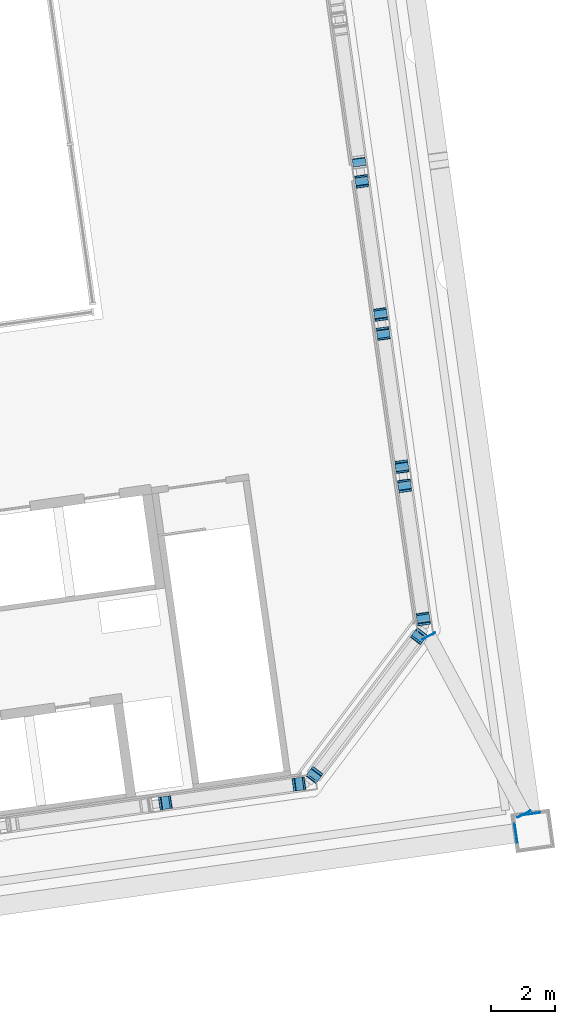
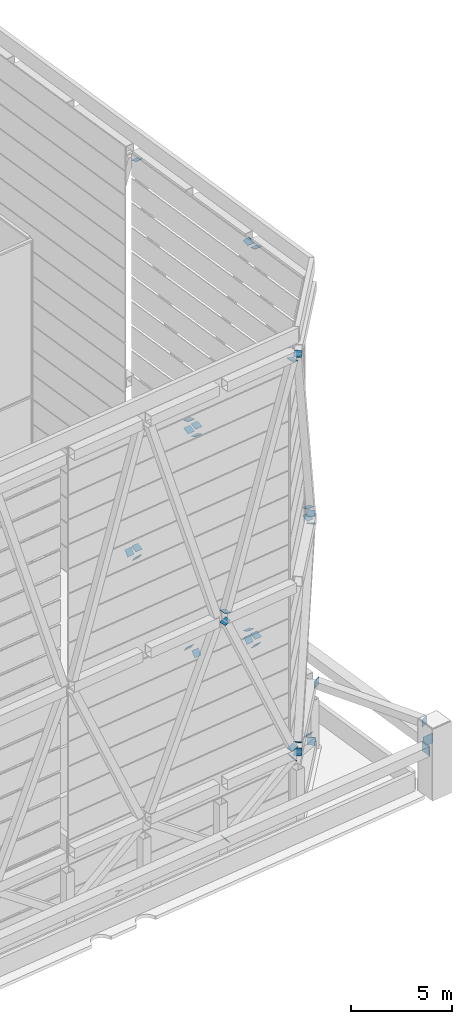
# One storey, part 38 of 45: 35 discrete accessories.
"""IFC4 building model written with IfcOpenShell, lengths in metres."""

from ifc_helpers import new_model, si_unit, direction, frame, origin, origin_2d, place, context, subcontext, project, spatial, rectangle, extrude, material, material_profile, profile_set, type_object, element, save


model = new_model("IFC4")

# Units and contexts
model_context = context("Model", 3, precision=1e-05, world=origin(), true_north=direction((0.0, 1.0)))
body_context = subcontext(model_context, "Body", "Model", "MODEL_VIEW")
ifc_project = project(units=[si_unit("LENGTHUNIT", "METRE"), si_unit("AREAUNIT", "SQUARE_METRE"), si_unit("VOLUMEUNIT", "CUBIC_METRE"), si_unit("PLANEANGLEUNIT", "RADIAN"), si_unit("MASSUNIT", "GRAM", prefix="KILO")], contexts=[model_context])

# Site, building, storey
site_placement = place(None, origin())
site = spatial("IfcSite", under=ifc_project, at=site_placement, CompositionType="ELEMENT")
building_placement = place(site_placement, origin())
building = spatial("IfcBuilding", under=site, at=building_placement, Name="Mirante Cascada Hotel Towers", CompositionType="ELEMENT")
storey_placement = place(building_placement, frame((0.0, 0.0, 269.8)))
storey = spatial("IfcBuildingStorey", under=building, at=storey_placement, Name="Roof garden", CompositionType="ELEMENT", Elevation=269.8)

# Discrete accessories
ifc_material_1 = material(Name="Steel ASTM A572 Gr 50", Category="steel")
ifc_material_profile_1 = material_profile(ifc_material_1, rectangle(XDim=0.4, YDim=0.4, at=origin_2d()), Name="Connection plate 400x400x25 ASTM A572 Gr 50")
ifc_profile_set_1 = profile_set([ifc_material_profile_1], Name="Steel ASTM A572 Gr 50")
discrete_accessory_type_1 = type_object("IfcDiscreteAccessoryType", Name="Connection plate 400x400x25 ASTM A572 Gr 50", PredefinedType="BRACKET", material=ifc_profile_set_1)
for number, where, z_axis, x_axis, name in (
    (1, (56.2485, 2.0021, 3.6925), (0.1116566, -0.7935596, 0.5981605), (0.9902459, 0.1393311, 0.0), "Connection plate HT-D"),
    (2, (56.9153, -2.7426, 0.5925), (-0.1116566, 0.7935596, 0.5981605), (-0.9902459, -0.1393311, 0.0), "Connection plate HT-D"),
    (3, (56.3348, 1.388, 3.6925), (-0.1116566, 0.7935596, 0.5981605), (-0.9902459, -0.1393311, 0.0), "Connection plate HT-D"),
):
    element("IfcDiscreteAccessory", number, at=place(storey_placement, frame(where, z_axis=z_axis, x_axis=x_axis)), inside=storey, type_object=discrete_accessory_type_1, Name=name, PredefinedType="BRACKET", context=body_context, shape_type="SweptSolid", body=[
        extrude(rectangle(XDim=0.4, YDim=0.4, at=origin_2d()), origin(), (0.0, 0.0, 1.0), 0.0251),
    ])
for number, where, z_axis, x_axis, name in (
    (4, (56.996, -3.3169, 0.5925), (0.1120108, -0.792076, 0.6000576), (0.9901485, 0.140021, 0.0), "Connection plate HT-D"),
    (5, (57.5765, -7.4475, 3.6925), (0.1120108, -0.792076, 0.6000576), (0.9901485, 0.140021, 0.0), "Connection plate HT-D"),
):
    element("IfcDiscreteAccessory", number, at=place(storey_placement, frame(where, z_axis=z_axis, x_axis=x_axis)), inside=storey, type_object=discrete_accessory_type_1, Name=name, PredefinedType="BRACKET", context=body_context, shape_type="SweptSolid", body=[
        extrude(rectangle(XDim=0.4, YDim=0.4, at=origin_2d()), origin(), (0.0, 0.0, 1.0), 0.025),
    ])
for number, where, z_axis, x_axis, name in (
    (6, (58.2433, -12.1921, 0.5925), (-0.1116566, 0.7935596, 0.5981605), (-0.9902459, -0.1393311, 0.0), "Connection plate HT-D"),
    (7, (57.6628, -8.0615, 3.6925), (-0.1116566, 0.7935596, 0.5981605), (-0.9902459, -0.1393311, 0.0), "Connection plate HT-D"),
):
    element("IfcDiscreteAccessory", number, at=place(storey_placement, frame(where, z_axis=z_axis, x_axis=x_axis)), inside=storey, type_object=discrete_accessory_type_1, Name=name, PredefinedType="BRACKET", context=body_context, shape_type="SweptSolid", body=[
        extrude(rectangle(XDim=0.4, YDim=0.4, at=origin_2d()), origin(), (0.0, 0.0, 1.0), 0.0251),
    ])
for number, where, z_axis, x_axis, name in (
    (8, (58.1097, -12.7102, 0.5938), (-0.5241426, -0.6921883, 0.496135), (0.7972266, -0.6036802, 0.0), "Connection plate HT-D"),
    (9, (54.8652, -17.0158, 3.6938), (-0.5241426, -0.6921883, 0.496135), (0.7972266, -0.6036802, 0.0), "Connection plate HT-D"),
    (10, (50.2243, -17.89, 0.5926), (0.7973471, 0.1121895, 0.5930018), (-0.1393311, 0.9902459, 0.0), "Connection plate HT-D"),
    (11, (54.3711, -17.3072, 3.6926), (0.7973471, 0.1121895, 0.5930018), (-0.1393311, 0.9902459, 0.0), "Connection plate HT-D"),
    (12, (56.3327, 1.403, 4.2886), (0.0560534, -0.4043852, 0.9128695), (0.9905294, 0.1373011, 0.0), "Connection plate CF-B"),
    (13, (56.9132, -2.7276, 13.6886), (0.0560534, -0.4043852, 0.9128695), (0.9905294, 0.1373011, 0.0), "Connection plate CF-B"),
):
    element("IfcDiscreteAccessory", number, at=place(storey_placement, frame(where, z_axis=z_axis, x_axis=x_axis)), inside=storey, type_object=discrete_accessory_type_1, Name=name, PredefinedType="BRACKET", context=body_context, shape_type="SweptSolid", body=[
        extrude(rectangle(XDim=0.4, YDim=0.4, at=origin_2d()), origin(), (0.0, 0.0, 1.0), 0.025),
    ])
for number, where, z_axis, x_axis, name in (
    (14, (57.5786, -7.4624, 4.2886), (-0.0561439, 0.4010279, 0.9143437), (-0.9903417, -0.1386478, 0.0), "Connection plate CF-B"),
    (15, (56.9981, -3.3318, 13.6886), (-0.0561439, 0.4010279, 0.9143437), (-0.9903417, -0.1386478, 0.0), "Connection plate CF-B"),
    (16, (57.6607, -8.0466, 4.2886), (0.0561439, -0.4010279, 0.9143437), (0.9903417, 0.1386478, 0.0), "Connection plate CF-B"),
    (17, (58.2412, -12.1772, 13.6886), (0.0561439, -0.4010279, 0.9143437), (0.9903417, 0.1386478, 0.0), "Connection plate CF-B"),
    (18, (54.8549, -17.0294, 4.2892), (0.3010083, 0.3973309, 0.8669038), (-0.7970921, 0.6038577, 0.0), "Connection plate CF-B"),
    (19, (58.0994, -12.7238, 13.6892), (0.3010083, 0.3973309, 0.8669038), (-0.7970921, 0.6038577, 0.0), "Connection plate CF-B"),
):
    element("IfcDiscreteAccessory", number, at=place(storey_placement, frame(where, z_axis=z_axis, x_axis=x_axis)), inside=storey, type_object=discrete_accessory_type_1, Name=name, PredefinedType="BRACKET", context=body_context, shape_type="SweptSolid", body=[
        extrude(rectangle(XDim=0.4, YDim=0.4, at=origin_2d()), origin(), (0.0, 0.0, 1.0), 0.0249),
    ])
discrete_accessory_placement = place(storey_placement, frame((54.3861, -17.3051, 4.2886), z_axis=(-0.4043852, -0.0560534, 0.9128695), x_axis=(0.1373011, -0.9905294, 0.0)))
element("IfcDiscreteAccessory", 20, at=discrete_accessory_placement, inside=storey, type_object=discrete_accessory_type_1, Name="Connection plate CF-B", PredefinedType="BRACKET", context=body_context, shape_type="SweptSolid", body=[
    extrude(rectangle(XDim=0.4, YDim=0.4, at=origin_2d()), origin(), (0.0, 0.0, 1.0), 0.025),
])
for number, where, z_axis, x_axis, name in (
    (21, (50.2393, -17.8878, 13.6886), (-0.4009345, -0.0601402, 0.9141306), (0.1483405, -0.9889364, 0.0), "Connection plate CF-B"),
    (22, (56.9144, -2.7363, 14.2881), (-0.0401373, 0.2930026, 0.9552688), (-0.9907474, -0.1357188, 0.0), "Connection plate CF-B"),
    (23, (56.3339, 1.3943, 27.6381), (-0.0440915, 0.2966152, 0.9539787), (-0.9891316, -0.1470331, 0.0), "Connection plate CF-B"),
    (24, (56.9969, -3.3231, 14.2881), (0.0400899, -0.2966653, 0.9541397), (0.9909924, 0.1339179, 0.0), "Connection plate CF-B"),
    (25, (57.5774, -7.4537, 27.6381), (0.0400899, -0.2966653, 0.9541397), (0.9909924, 0.1339179, 0.0), "Connection plate CF-B"),
    (26, (58.2425, -12.1859, 14.2881), (-0.0440915, 0.2966152, 0.9539787), (-0.9891316, -0.1470331, 0.0), "Connection plate CF-B"),
    (27, (57.6619, -8.0553, 27.6381), (-0.0400899, 0.2966653, 0.9541397), (-0.9909924, -0.1339179, 0.0), "Connection plate CF-B"),
):
    element("IfcDiscreteAccessory", number, at=place(storey_placement, frame(where, z_axis=z_axis, x_axis=x_axis)), inside=storey, type_object=discrete_accessory_type_1, Name=name, PredefinedType="BRACKET", context=body_context, shape_type="SweptSolid", body=[
        extrude(rectangle(XDim=0.4, YDim=0.4, at=origin_2d()), origin(), (0.0, 0.0, 1.0), 0.0249),
    ])
for number, where, z_axis, x_axis, name in (
    (28, (58.106, -12.7151, 14.2884), (-0.2276397, -0.2995259, 0.9265335), (0.7961622, -0.6050833, 0.0), "Connection plate CF-B"),
    (29, (54.8615, -17.0207, 27.6384), (-0.2276397, -0.2995259, 0.9265335), (0.7961622, -0.6050833, 0.0), "Connection plate CF-B"),
):
    element("IfcDiscreteAccessory", number, at=place(storey_placement, frame(where, z_axis=z_axis, x_axis=x_axis)), inside=storey, type_object=discrete_accessory_type_1, Name=name, PredefinedType="BRACKET", context=body_context, shape_type="SweptSolid", body=[
        extrude(rectangle(XDim=0.4, YDim=0.4, at=origin_2d()), origin(), (0.0, 0.0, 1.0), 0.025),
    ])
for number, where, z_axis, x_axis, name in (
    (30, (50.2306, -17.8891, 14.2881), (0.2966152, 0.0440915, 0.9539787), (-0.1470331, 0.9891316, 0.0), "Connection plate CF-B"),
    (31, (54.3773, -17.3063, 27.6381), (0.2966152, 0.0440915, 0.9539787), (-0.1470331, 0.9891316, 0.0), "Connection plate CF-B"),
):
    element("IfcDiscreteAccessory", number, at=place(storey_placement, frame(where, z_axis=z_axis, x_axis=x_axis)), inside=storey, type_object=discrete_accessory_type_1, Name=name, PredefinedType="BRACKET", context=body_context, shape_type="SweptSolid", body=[
        extrude(rectangle(XDim=0.4, YDim=0.4, at=origin_2d()), origin(), (0.0, 0.0, 1.0), 0.0249),
    ])
ifc_material_2 = material(Name="Steel ASTM A572 Gr 50", Category="steel")
ifc_material_profile_2 = material_profile(ifc_material_2, rectangle(XDim=0.45, YDim=0.45, at=origin_2d()), Name="Connection plate 450x450x25 ASTM A572 Gr 50")
ifc_profile_set_2 = profile_set([ifc_material_profile_2], Name="Steel ASTM A572 Gr 50")
discrete_accessory_type_2 = type_object("IfcDiscreteAccessoryType", Name="Connection plate 450x450x25 ASTM A572 Gr 50", PredefinedType="BRACKET", material=ifc_profile_set_2)
for number, where, z_axis, x_axis, name in (
    (32, (61.3702, -18.254, 4.0), (-0.472666, 0.8812417, 0.0), (-0.8812417, -0.472666, 0.0), "Connection plate CF-T"),
    (33, (58.4151, -12.7251, 4.0), (-0.472666, 0.8812417, 0.0), (-0.8812417, -0.472666, 0.0), "Connection plate CF-T"),
):
    element("IfcDiscreteAccessory", number, at=place(storey_placement, frame(where, z_axis=z_axis, x_axis=x_axis)), inside=storey, type_object=discrete_accessory_type_2, Name=name, PredefinedType="BRACKET", context=body_context, shape_type="SweptSolid", body=[
        extrude(rectangle(XDim=0.45, YDim=0.45, at=origin_2d()), origin(), (0.0, 0.0, 1.0), 0.025),
    ])
ifc_material_3 = material(Name="Steel ASTM A572 Gr 50", Category="steel")
ifc_material_profile_3 = material_profile(ifc_material_3, rectangle(XDim=0.6, YDim=0.6, at=origin_2d()), Name="Connection plate 600x600x25 ASTM A572 Gr 50")
ifc_profile_set_3 = profile_set([ifc_material_profile_3], Name="Steel ASTM A572 Gr 50")
discrete_accessory_type_3 = type_object("IfcDiscreteAccessoryType", Name="Connection plate 600x600x25 ASTM A572 Gr 50", PredefinedType="BRACKET", material=ifc_profile_set_3)
for number, where, z_axis, x_axis, name in (
    (34, (61.1032, -18.8351, 2.8), (0.9901092, 0.1402989, 0.0), (-0.1402989, 0.9901092, 0.0), "Connection plate NCH"),
    (35, (61.5684, -18.2471, 2.8), (-0.1402989, 0.9901092, 0.0), (-0.9901092, -0.1402989, 0.0), "Connection plate NCH"),
):
    element("IfcDiscreteAccessory", number, at=place(storey_placement, frame(where, z_axis=z_axis, x_axis=x_axis)), inside=storey, type_object=discrete_accessory_type_3, Name=name, PredefinedType="BRACKET", context=body_context, shape_type="SweptSolid", body=[
        extrude(rectangle(XDim=0.6, YDim=0.6, at=origin_2d()), origin(), (0.0, 0.0, 1.0), 0.0249),
    ])

save(model, "model.ifc")
